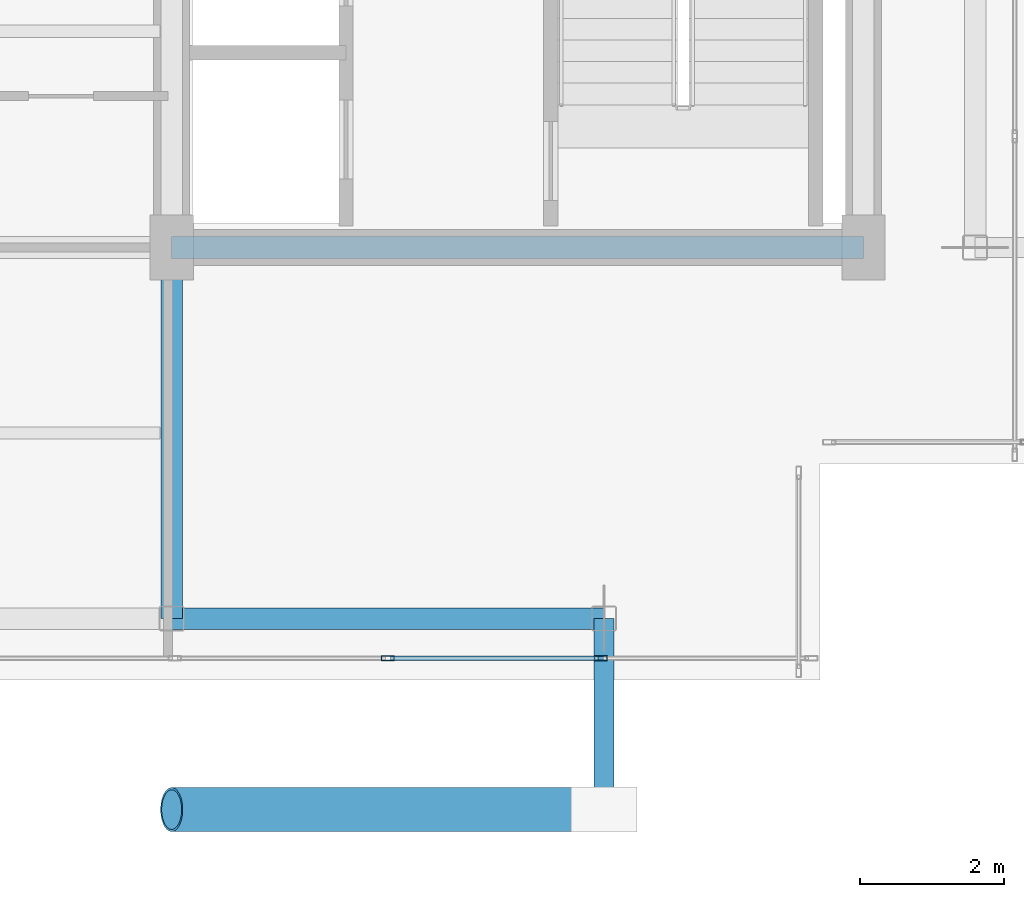
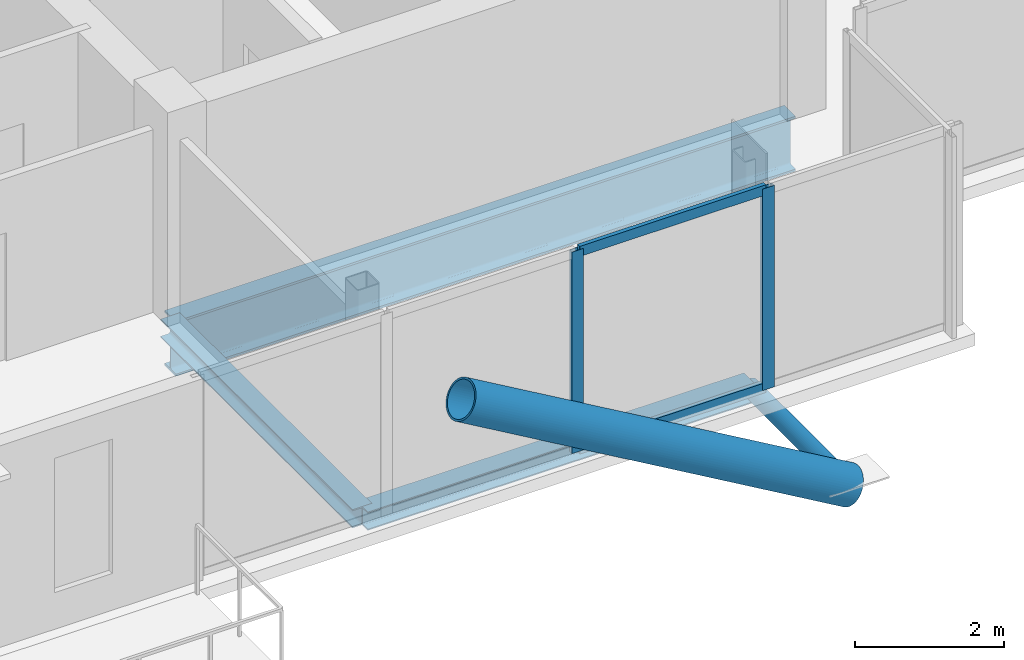
# One storey, part 5 of 18: 6 members, 3 beams, 1 element without a shape of its own.
"""IFC4 building model written with IfcOpenShell, lengths in metres."""

from ifc_helpers import new_model, si_unit, direction, frame, origin, origin_2d, place, context, subcontext, project, spatial, hollow_rectangle, hollow_circle, i_section, extrude, material, layer, layer_set, material_profile, profile_set, type_object, element, aggregate, save


model = new_model("IFC4")

# Units and contexts
model_context = context("Model", 3, precision=1e-05, world=origin(), true_north=direction((0.0, 1.0)))
body_context = subcontext(model_context, "Body", "Model", "MODEL_VIEW")
ifc_project = project(units=[si_unit("LENGTHUNIT", "METRE"), si_unit("AREAUNIT", "SQUARE_METRE"), si_unit("VOLUMEUNIT", "CUBIC_METRE"), si_unit("PLANEANGLEUNIT", "RADIAN"), si_unit("MASSUNIT", "GRAM", prefix="KILO"), si_unit("THERMODYNAMICTEMPERATUREUNIT", "KELVIN"), si_unit("POWERUNIT", "WATT")], contexts=[model_context])

# Site, building, storey
site_placement = place(None, origin())
site = spatial("IfcSite", under=ifc_project, at=site_placement, CompositionType="ELEMENT")
building_placement = place(site_placement, origin())
building = spatial("IfcBuilding", under=site, at=building_placement, Name="Svarakhadi Broadcast Tower", CompositionType="ELEMENT")
storey_placement = place(building_placement, frame((0.0, 0.0, 250.199951171875)))
storey = spatial("IfcBuildingStorey", under=building, at=storey_placement, Name="L62", CompositionType="ELEMENT", Elevation=250.199951171875)

# Curtain wall, members
ifc_material_1 = material(Name="Anodised Bronze Aluminium AA 6063-T6", Category="aluminium")
ifc_layer = layer(ifc_material_1, 0.179931640625)
ifc_layer_set = layer_set([ifc_layer], Name="Anodised Bronze Aluminium AA 6063-T6")
curtain_wall_type = type_object("IfcCurtainWallType", Name="CW_Sys_05", PredefinedType="NOTDEFINED", material=ifc_layer_set)
curtain_wall_placement = place(storey_placement, origin())
curtain_wall = element("IfcCurtainWall", 1, at=curtain_wall_placement, inside=storey, type_object=curtain_wall_type, Name="L62 South Curtain Wall 16", PredefinedType="NOTDEFINED")
ifc_material_profile_1 = material_profile(ifc_material_1, hollow_rectangle(XDim=0.070068359375, YDim=0.179931640625, WallThickness=0.005615234375, at=origin_2d()), Name="ALU MULLION 180x70x6")
ifc_profile_set_1 = profile_set([ifc_material_profile_1], Name="Anodised Bronze Aluminium AA 6063-T6")
member_type_1 = type_object("IfcMemberType", Name="CW_Sys_05_Mul", PredefinedType="MULLION", material=ifc_profile_set_1)
member_1_placement = place(storey_placement, frame((29.955078125, 0.300048828125, 0.0), z_axis=(0.0, 0.0, 1.0), x_axis=(0.0, -1.0, 0.0)))
member_1 = element("IfcMember", 2, at=member_1_placement, type_object=member_type_1, Name="CW-05 mullion 2", PredefinedType="MULLION", context=body_context, shape_type="SweptSolid", body=[
    extrude(hollow_rectangle(XDim=0.070068359375, YDim=0.179931640625, WallThickness=0.005615234375, at=origin_2d()), origin(), (0.0, 0.0, 1.0), 3.300048828125),
])
member_2_placement = place(storey_placement, frame((27.0, 0.300048828125, 0.0), z_axis=(0.0, 0.0, 1.0), x_axis=(0.0, -1.0, 0.0)))
member_2 = element("IfcMember", 3, at=member_2_placement, type_object=member_type_1, Name="CW-05 mullion 3", PredefinedType="MULLION", context=body_context, shape_type="SweptSolid", body=[
    extrude(hollow_rectangle(XDim=0.070068359375, YDim=0.179931640625, WallThickness=0.005615234375, at=origin_2d()), origin(), (0.0, 0.0, 1.0), 3.300048828125),
])
ifc_material_profile_2 = material_profile(ifc_material_1, hollow_rectangle(XDim=0.06494140625, YDim=0.1650390625, WallThickness=0.0048828125, at=origin_2d()), Name="ALU TRANSOM 165x65x5")
ifc_profile_set_2 = profile_set([ifc_material_profile_2], Name="Anodised Bronze Aluminium AA 6063-T6")
member_type_2 = type_object("IfcMemberType", Name="CW_Sys_05_Trn", PredefinedType="USERDEFINED", material=ifc_profile_set_2)
member_3_placement = place(storey_placement, frame((29.919921875, 0.300048828125, 0.032470703125), z_axis=(-1.0, 0.0, 0.0), x_axis=(0.0, -1.0, 0.0)))
member_3 = element("IfcMember", 4, at=member_3_placement, type_object=member_type_2, Name="CW-05 transom 2.1", ObjectType="TRANSOM", PredefinedType="USERDEFINED", context=body_context, shape_type="SweptSolid", body=[
    extrude(hollow_rectangle(XDim=0.06494140625, YDim=0.1650390625, WallThickness=0.0048828125, at=origin_2d()), origin(), (0.0, 0.0, 1.0), 2.885009765625),
])
member_4_placement = place(storey_placement, frame((29.919921875, 0.300048828125, 3.267578125), z_axis=(-1.0, 0.0, 0.0), x_axis=(0.0, -1.0, 0.0)))
member_4 = element("IfcMember", 5, at=member_4_placement, type_object=member_type_2, Name="CW-05 transom 2.2", ObjectType="TRANSOM", PredefinedType="USERDEFINED", context=body_context, shape_type="SweptSolid", body=[
    extrude(hollow_rectangle(XDim=0.06494140625, YDim=0.1650390625, WallThickness=0.0048828125, at=origin_2d()), origin(), (0.0, 0.0, 1.0), 2.885009765625),
])
aggregate(curtain_wall, [member_1, member_2, member_3, member_4])

# Members
ifc_material_2 = material(Name="Steel S460ML (IS 2062 E450BR)", Category="steel")
ifc_material_profile_3 = material_profile(ifc_material_2, hollow_circle(Radius=0.304931640625, WallThickness=0.030029296875, at=origin_2d()), Name="CHS 610x30")
ifc_profile_set_3 = profile_set([ifc_material_profile_3], Name="Steel S460ML (IS 2062 E450BR)")
member_type_3 = type_object("IfcMemberType", Name="Exo_Brace_CHS610", PredefinedType="BRACE", material=ifc_profile_set_3)
member_5_placement = place(storey_placement, frame((30.0, -1.800048828125, -0.33642578125), z_axis=(-0.863778900898, 0.0, 0.503871025524), x_axis=(0.0, -1.0, 0.0)))
element("IfcMember", 6, at=member_5_placement, inside=storey, type_object=member_type_3, Name="L62 Exposed Bronze Exoskeleton Diagonal S01", PredefinedType="BRACE", context=body_context, shape_type="SweptSolid", body=[
    extrude(hollow_circle(Radius=0.304931640625, WallThickness=0.030029296875, at=origin_2d()), origin(), (0.0, 0.0, 1.0), 6.9462890625),
])
ifc_material_profile_4 = material_profile(ifc_material_2, hollow_circle(Radius=0.136474609375, WallThickness=0.012451171875, at=origin_2d()), Name="CHS 273x12.5")
ifc_profile_set_4 = profile_set([ifc_material_profile_4], Name="Steel S460ML (IS 2062 E450BR)")
member_type_4 = type_object("IfcMemberType", Name="Exo_Radial_Strut_Z3", PredefinedType="STRUT", material=ifc_profile_set_4)
member_6_placement = place(storey_placement, frame((30.0, -1.800048828125, -0.33642578125), z_axis=(0.0, 1.0, 0.0), x_axis=(-1.0, 0.0, 0.0)))
element("IfcMember", 7, at=member_6_placement, inside=storey, type_object=member_type_4, Name="L62 Exoskeleton Radial Tie Strut S03", PredefinedType="STRUT", context=body_context, shape_type="SweptSolid", body=[
    extrude(hollow_circle(Radius=0.136474609375, WallThickness=0.012451171875, at=origin_2d()), origin(), (0.0, 0.0, 1.0), 2.650146484375),
])

# Beams
ifc_material_3 = material(Name="Steel S355J2 (IS 2062 E350C)", Category="steel")
ifc_material_profile_5 = material_profile(ifc_material_3, i_section(OverallWidth=0.300048828125, OverallDepth=0.300048828125, WebThickness=0.010986328125, FlangeThickness=0.01904296875, FilletRadius=0.027099609375, at=origin_2d()), Name="WPB 300x300x117")
ifc_profile_set_5 = profile_set([ifc_material_profile_5], Name="Steel S355J2 (IS 2062 E350C)")
beam_type_1 = type_object("IfcBeamType", Name="Girder_WPB300", PredefinedType="USERDEFINED", material=ifc_profile_set_5)
beam_1_placement = place(storey_placement, frame((24.0, 0.85009765625, -0.349853515625), z_axis=(1.0, 0.0, 0.0), x_axis=(0.0, 1.0, 0.0)))
element("IfcBeam", 8, at=beam_1_placement, inside=storey, type_object=beam_type_1, Name="L62 Primary E-W Girder G007", ObjectType="GIRDER", PredefinedType="USERDEFINED", context=body_context, shape_type="SweptSolid", body=[
    extrude(i_section(OverallWidth=0.300048828125, OverallDepth=0.300048828125, WebThickness=0.010986328125, FlangeThickness=0.01904296875, FilletRadius=0.027099609375, at=origin_2d()), origin(), (0.0, 0.0, 1.0), 6.0),
])
beam_2_placement = place(storey_placement, frame((24.0, 0.85009765625, -0.349853515625), z_axis=(0.0, 1.0, 0.0), x_axis=(-1.0, 0.0, 0.0)))
element("IfcBeam", 9, at=beam_2_placement, inside=storey, type_object=beam_type_1, Name="L62 Primary N-S Girder G040", ObjectType="GIRDER", PredefinedType="USERDEFINED", context=body_context, shape_type="SweptSolid", body=[
    extrude(i_section(OverallWidth=0.300048828125, OverallDepth=0.300048828125, WebThickness=0.010986328125, FlangeThickness=0.01904296875, FilletRadius=0.027099609375, at=origin_2d()), origin(), (0.0, 0.0, 1.0), 5.14990234375),
])
ifc_material_profile_6 = material_profile(ifc_material_2, i_section(OverallWidth=0.300048828125, OverallDepth=0.89990234375, WebThickness=0.0185546875, FlangeThickness=0.034912109375, FilletRadius=0.030029296875, at=origin_2d()), Name="WPB 900x300x291")
ifc_profile_set_6 = profile_set([ifc_material_profile_6], Name="Steel S460ML (IS 2062 E450BR)")
beam_type_2 = type_object("IfcBeamType", Name="Girder_WPB900", PredefinedType="USERDEFINED", material=ifc_profile_set_6)
beam_3_placement = place(storey_placement, frame((24.0, 6.0, -0.64990234375), z_axis=(1.0, 0.0, 0.0), x_axis=(0.0, 1.0, 0.0)))
element("IfcBeam", 10, at=beam_3_placement, inside=storey, type_object=beam_type_2, Name="L62 Primary E-W Girder G012", ObjectType="GIRDER", PredefinedType="USERDEFINED", context=body_context, shape_type="SweptSolid", body=[
    extrude(i_section(OverallWidth=0.300048828125, OverallDepth=0.89990234375, WebThickness=0.0185546875, FlangeThickness=0.034912109375, FilletRadius=0.030029296875, at=origin_2d()), origin(), (0.0, 0.0, 1.0), 9.60009765625),
])

save(model, "model.ifc")
